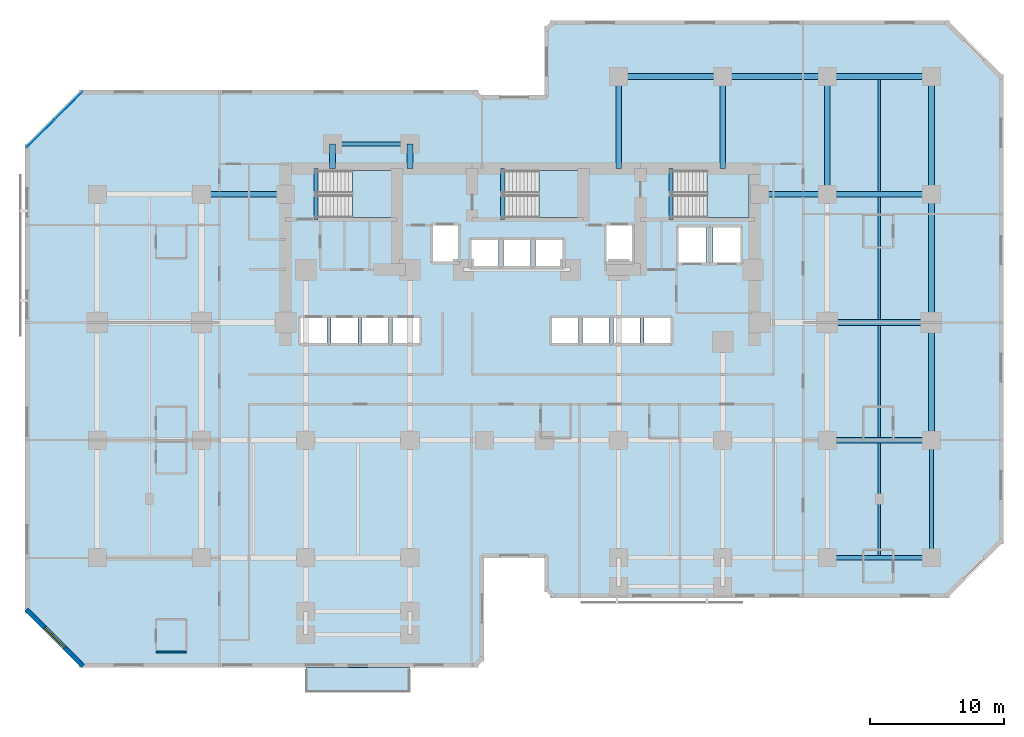
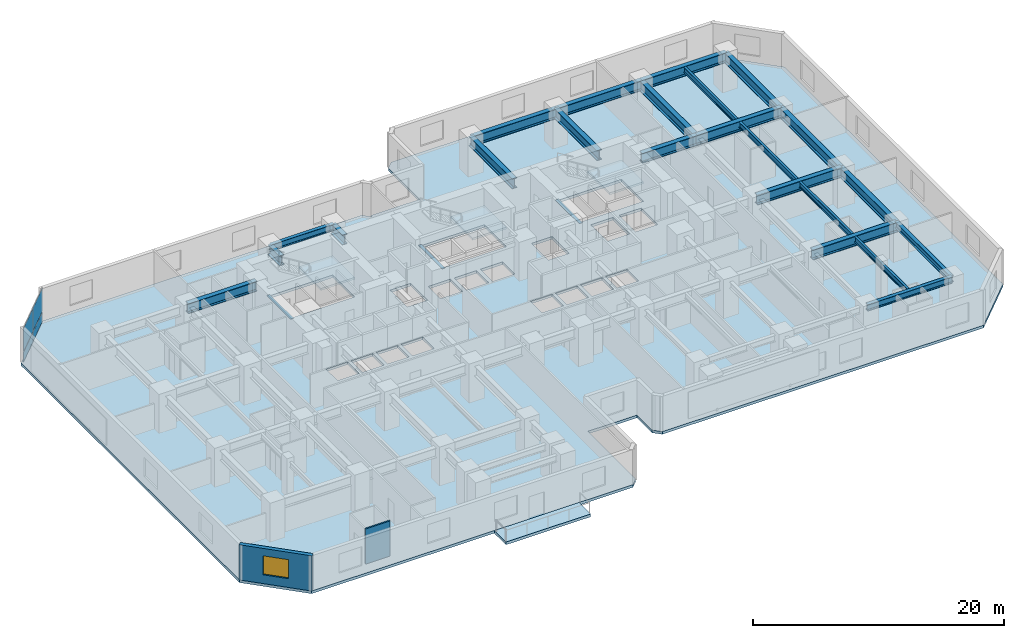
# One storey, part 3 of 11: 26 beams, 5 slabs, 4 plates, 2 walls, 1 window, 1 opening, 4 elements without a shape of their own.
"""IFC4 building model written with IfcOpenShell, lengths in metres."""

from ifc_helpers import new_model, si_unit, direction, frame, frame_2d, origin, origin_2d, place, context, subcontext, project, spatial, polyline, rectangle, i_section, outline, extrude, material, layer, layer_set, material_profile, profile_set, type_object, element, fill, aggregate, save


model = new_model("IFC4")

# Units and contexts
model_context = context("Model", 3, precision=1e-05, world=origin(), true_north=direction((0.0, 1.0)))
body_context = subcontext(model_context, "Body", "Model", "MODEL_VIEW")
ifc_project = project(units=[si_unit("LENGTHUNIT", "METRE"), si_unit("AREAUNIT", "SQUARE_METRE"), si_unit("VOLUMEUNIT", "CUBIC_METRE"), si_unit("PLANEANGLEUNIT", "RADIAN"), si_unit("MASSUNIT", "GRAM", prefix="KILO")], contexts=[model_context])

# Site, building, storey
site_placement = place(None, origin())
site = spatial("IfcSite", under=ifc_project, at=site_placement, CompositionType="ELEMENT")
building_placement = place(site_placement, origin())
building = spatial("IfcBuilding", under=site, at=building_placement, Name="Kestravale Grand Hotel", CompositionType="ELEMENT")
storey_placement = place(building_placement, frame((0.0, 0.0, 71.60009765625)))
storey = spatial("IfcBuildingStorey", under=building, at=storey_placement, Name="L17", CompositionType="ELEMENT", Elevation=71.60009765625)

# Beams
ifc_material_1 = material(Name="Steel ASTM A992 Grade 50", Category="steel")
ifc_material_profile_1 = material_profile(ifc_material_1, i_section(OverallWidth=0.2099609375, OverallDepth=0.535888671875, WebThickness=0.010986328125, FlangeThickness=0.017333984375, FilletRadius=0.017578125, at=origin_2d()))
ifc_profile_set_1 = profile_set([ifc_material_profile_1], Name="Steel ASTM A992 Grade 50")
beam_type_1 = type_object("IfcBeamType", Name="B-FLR-JST21", PredefinedType="JOIST", material=ifc_profile_set_1)
beam_1_placement = place(storey_placement, frame((66.300048828125, 11.362548828125, 3.15185546875), z_axis=(0.0, 1.0, 0.0), x_axis=(-1.0, 0.0, 0.0)))
element("IfcBeam", 1, at=beam_1_placement, inside=storey, type_object=beam_type_1, Name="L17 floor joist 10-11/C-D #1", PredefinedType="JOIST", context=body_context, shape_type="SweptSolid", body=[
    extrude(i_section(OverallWidth=0.2099609375, OverallDepth=0.535888671875, WebThickness=0.010986328125, FlangeThickness=0.017333984375, FilletRadius=0.017578125, at=origin_2d()), origin(), (0.0, 0.0, 1.0), 8.425537109375),
])
beam_2_placement = place(storey_placement, frame((66.300048828125, 20.2119140625, 3.15185546875), z_axis=(0.0, 1.0, 0.0), x_axis=(-1.0, 0.0, 0.0)))
element("IfcBeam", 2, at=beam_2_placement, inside=storey, type_object=beam_type_1, Name="L17 floor joist 10-11/D-E #1", PredefinedType="JOIST", context=body_context, shape_type="SweptSolid", body=[
    extrude(i_section(OverallWidth=0.2099609375, OverallDepth=0.535888671875, WebThickness=0.010986328125, FlangeThickness=0.017333984375, FilletRadius=0.017578125, at=origin_2d()), origin(), (0.0, 0.0, 1.0), 8.3759765625),
])
beam_3_placement = place(storey_placement, frame((66.300048828125, 29.011962890625, 3.15185546875), z_axis=(0.0, 1.0, 0.0), x_axis=(-1.0, 0.0, 0.0)))
element("IfcBeam", 3, at=beam_3_placement, inside=storey, type_object=beam_type_1, Name="L17 floor joist 10-11/E-F #1", PredefinedType="JOIST", context=body_context, shape_type="SweptSolid", body=[
    extrude(i_section(OverallWidth=0.2099609375, OverallDepth=0.535888671875, WebThickness=0.010986328125, FlangeThickness=0.017333984375, FilletRadius=0.017578125, at=origin_2d()), origin(), (0.0, 0.0, 1.0), 9.176025390625),
])
beam_4_placement = place(storey_placement, frame((66.300048828125, 38.612060546875, 3.15185546875), z_axis=(0.0, 1.0, 0.0), x_axis=(-1.0, 0.0, 0.0)))
element("IfcBeam", 4, at=beam_4_placement, inside=storey, type_object=beam_type_1, Name="L17 floor joist 10-11/F-G #1", PredefinedType="JOIST", context=body_context, shape_type="SweptSolid", body=[
    extrude(i_section(OverallWidth=0.2099609375, OverallDepth=0.535888671875, WebThickness=0.010986328125, FlangeThickness=0.017333984375, FilletRadius=0.017578125, at=origin_2d()), origin(), (0.0, 0.0, 1.0), 8.3759765625),
])
ifc_material_2 = material(Name="Concrete f'c 45 MPa", Category="concrete")
ifc_material_profile_2 = material_profile(ifc_material_2, rectangle(XDim=0.300048828125, YDim=0.39990234375, at=origin_2d()))
ifc_profile_set_2 = profile_set([ifc_material_profile_2], Name="Concrete f'c 45 MPa")
beam_type_2 = type_object("IfcBeamType", Name="B-FLR-LNT400", PredefinedType="LINTEL", material=ifc_profile_set_2)
for number, where, z_axis, x_axis, name in (
    (5, (24.159912109375, 36.52001953125, -0.2001953125), (0.0, 1.0, 0.0), (-1.0, 0.0, 0.0), "L17 ST1 flight bottom header beam"),
    (6, (38.110107421875, 36.52001953125, -0.2001953125), (0.0, 1.0, 0.0), (-1.0, 0.0, 0.0), "L17 ST2 flight bottom header beam"),
    (7, (50.7099609375, 36.52001953125, -0.2001953125), (0.0, 1.0, 0.0), (-1.0, 0.0, 0.0), "L17 ST3 flight bottom header beam"),
):
    element("IfcBeam", number, at=place(storey_placement, frame(where, z_axis=z_axis, x_axis=x_axis)), inside=storey, type_object=beam_type_2, Name=name, PredefinedType="LINTEL", context=body_context, shape_type="SweptSolid", body=[
        extrude(rectangle(XDim=0.300048828125, YDim=0.39990234375, at=origin_2d()), origin(), (0.0, 0.0, 1.0), 3.800048828125),
    ])
ifc_material_3 = material(Name="Steel ASTM A992 Grade 50", Category="steel")
ifc_material_profile_3 = material_profile(ifc_material_3, i_section(OverallWidth=0.324951171875, OverallDepth=0.612060546875, WebThickness=0.0126953125, FlangeThickness=0.01904296875, FilletRadius=0.018798828125, at=origin_2d()))
ifc_profile_set_3 = profile_set([ifc_material_profile_3], Name="Steel ASTM A992 Grade 50")
beam_type_3 = type_object("IfcBeamType", Name="B-FLR-W24A", PredefinedType="SPANDREL", material=ifc_profile_set_3)
beam_5_placement = place(storey_placement, frame((62.39990234375, 11.199951171875, 3.114013671875), z_axis=(1.0, 0.0, 0.0), x_axis=(0.0, 1.0, 0.0)))
element("IfcBeam", 8, at=beam_5_placement, inside=storey, type_object=beam_type_3, Name="L17 spandrel C:10-11", PredefinedType="SPANDREL", context=body_context, shape_type="SweptSolid", body=[
    extrude(i_section(OverallWidth=0.324951171875, OverallDepth=0.612060546875, WebThickness=0.0126953125, FlangeThickness=0.01904296875, FilletRadius=0.018798828125, at=origin_2d()), origin(), (0.0, 0.0, 1.0), 7.800048828125),
])
beam_6_placement = place(storey_placement, frame((25.39990234375, 42.14990234375, 3.114013671875), z_axis=(1.0, 0.0, 0.0), x_axis=(0.0, 1.0, 0.0)))
element("IfcBeam", 9, at=beam_6_placement, inside=storey, type_object=beam_type_3, Name="L17 perimeter tie spandrel FN:4-5", PredefinedType="SPANDREL", context=body_context, shape_type="SweptSolid", body=[
    extrude(i_section(OverallWidth=0.324951171875, OverallDepth=0.612060546875, WebThickness=0.0126953125, FlangeThickness=0.01904296875, FilletRadius=0.018798828125, at=origin_2d()), origin(), (0.0, 0.0, 1.0), 5.800048828125),
])
beam_7_placement = place(storey_placement, frame((70.199951171875, 11.199951171875, 3.114013671875), z_axis=(0.0, 1.0, 0.0), x_axis=(-1.0, 0.0, 0.0)))
element("IfcBeam", 10, at=beam_7_placement, inside=storey, type_object=beam_type_3, Name="L17 spandrel 11:C-D", PredefinedType="SPANDREL", context=body_context, shape_type="SweptSolid", body=[
    extrude(i_section(OverallWidth=0.324951171875, OverallDepth=0.612060546875, WebThickness=0.0126953125, FlangeThickness=0.01904296875, FilletRadius=0.018798828125, at=origin_2d()), origin(), (0.0, 0.0, 1.0), 8.800048828125),
])
ifc_material_4 = material(Name="Steel ASTM A992 Grade 50", Category="steel")
ifc_material_profile_4 = material_profile(ifc_material_4, i_section(OverallWidth=0.424072265625, OverallDepth=0.947021484375, WebThickness=0.02392578125, FlangeThickness=0.042724609375, FilletRadius=0.0283203125, at=origin_2d()))
ifc_profile_set_4 = profile_set([ifc_material_profile_4], Name="Steel ASTM A992 Grade 50")
beam_type_4 = type_object("IfcBeamType", Name="B-GRD-W36", PredefinedType="BEAM", material=ifc_profile_set_4)
for number, where, z_axis, x_axis, name in (
    (11, (62.39990234375, 20.0, 2.9462890625), (1.0, 0.0, 0.0), (0.0, 1.0, 0.0), "L17 girder D:10-11"),
    (12, (62.39990234375, 28.800048828125, 2.9462890625), (1.0, 0.0, 0.0), (0.0, 1.0, 0.0), "L17 girder E:10-11"),
):
    element("IfcBeam", number, at=place(storey_placement, frame(where, z_axis=z_axis, x_axis=x_axis)), inside=storey, type_object=beam_type_4, Name=name, PredefinedType="BEAM", context=body_context, shape_type="SweptSolid", body=[
        extrude(i_section(OverallWidth=0.424072265625, OverallDepth=0.947021484375, WebThickness=0.02392578125, FlangeThickness=0.042724609375, FilletRadius=0.0283203125, at=origin_2d()), origin(), (0.0, 0.0, 1.0), 7.800048828125),
    ])
beam_8_placement = place(storey_placement, frame((15.60009765625, 38.39990234375, 2.9462890625), z_axis=(1.0, 0.0, 0.0), x_axis=(0.0, 1.0, 0.0)))
element("IfcBeam", 13, at=beam_8_placement, inside=storey, type_object=beam_type_4, Name="L17 girder F:3-CW", PredefinedType="BEAM", context=body_context, shape_type="SweptSolid", body=[
    extrude(i_section(OverallWidth=0.424072265625, OverallDepth=0.947021484375, WebThickness=0.02392578125, FlangeThickness=0.042724609375, FilletRadius=0.0283203125, at=origin_2d()), origin(), (0.0, 0.0, 1.0), 6.2998046875),
])
beam_9_placement = place(storey_placement, frame((57.35009765625, 38.39990234375, 2.9462890625), z_axis=(1.0, 0.0, 0.0), x_axis=(0.0, 1.0, 0.0)))
element("IfcBeam", 14, at=beam_9_placement, inside=storey, type_object=beam_type_4, Name="L17 girder F:CE-10", PredefinedType="BEAM", context=body_context, shape_type="SweptSolid", body=[
    extrude(i_section(OverallWidth=0.424072265625, OverallDepth=0.947021484375, WebThickness=0.02392578125, FlangeThickness=0.042724609375, FilletRadius=0.0283203125, at=origin_2d()), origin(), (0.0, 0.0, 1.0), 5.0498046875),
])
for number, where, z_axis, x_axis, name in (
    (15, (62.39990234375, 38.39990234375, 2.9462890625), (1.0, 0.0, 0.0), (0.0, 1.0, 0.0), "L17 girder F:10-11"),
    (16, (46.800048828125, 47.199951171875, 2.9462890625), (1.0, 0.0, 0.0), (0.0, 1.0, 0.0), "L17 girder G:8-9"),
):
    element("IfcBeam", number, at=place(storey_placement, frame(where, z_axis=z_axis, x_axis=x_axis)), inside=storey, type_object=beam_type_4, Name=name, PredefinedType="BEAM", context=body_context, shape_type="SweptSolid", body=[
        extrude(i_section(OverallWidth=0.424072265625, OverallDepth=0.947021484375, WebThickness=0.02392578125, FlangeThickness=0.042724609375, FilletRadius=0.0283203125, at=origin_2d()), origin(), (0.0, 0.0, 1.0), 7.800048828125),
    ])
beam_10_placement = place(storey_placement, frame((54.60009765625, 47.199951171875, 2.9462890625), z_axis=(1.0, 0.0, 0.0), x_axis=(0.0, 1.0, 0.0)))
element("IfcBeam", 17, at=beam_10_placement, inside=storey, type_object=beam_type_4, Name="L17 girder G:9-10", PredefinedType="BEAM", context=body_context, shape_type="SweptSolid", body=[
    extrude(i_section(OverallWidth=0.424072265625, OverallDepth=0.947021484375, WebThickness=0.02392578125, FlangeThickness=0.042724609375, FilletRadius=0.0283203125, at=origin_2d()), origin(), (0.0, 0.0, 1.0), 7.7998046875),
])
beam_11_placement = place(storey_placement, frame((62.39990234375, 47.199951171875, 2.9462890625), z_axis=(1.0, 0.0, 0.0), x_axis=(0.0, 1.0, 0.0)))
element("IfcBeam", 18, at=beam_11_placement, inside=storey, type_object=beam_type_4, Name="L17 girder G:10-11", PredefinedType="BEAM", context=body_context, shape_type="SweptSolid", body=[
    extrude(i_section(OverallWidth=0.424072265625, OverallDepth=0.947021484375, WebThickness=0.02392578125, FlangeThickness=0.042724609375, FilletRadius=0.0283203125, at=origin_2d()), origin(), (0.0, 0.0, 1.0), 7.800048828125),
])
for number, where, z_axis, x_axis, name in (
    (19, (62.39990234375, 38.39990234375, 2.9462890625), (0.0, 1.0, 0.0), (-1.0, 0.0, 0.0), "L17 girder 10:F-G"),
    (20, (70.199951171875, 20.0, 2.9462890625), (0.0, 1.0, 0.0), (-1.0, 0.0, 0.0), "L17 girder 11:D-E"),
):
    element("IfcBeam", number, at=place(storey_placement, frame(where, z_axis=z_axis, x_axis=x_axis)), inside=storey, type_object=beam_type_4, Name=name, PredefinedType="BEAM", context=body_context, shape_type="SweptSolid", body=[
        extrude(i_section(OverallWidth=0.424072265625, OverallDepth=0.947021484375, WebThickness=0.02392578125, FlangeThickness=0.042724609375, FilletRadius=0.0283203125, at=origin_2d()), origin(), (0.0, 0.0, 1.0), 8.800048828125),
    ])
beam_12_placement = place(storey_placement, frame((70.199951171875, 28.800048828125, 2.9462890625), z_axis=(0.0, 1.0, 0.0), x_axis=(-1.0, 0.0, 0.0)))
element("IfcBeam", 21, at=beam_12_placement, inside=storey, type_object=beam_type_4, Name="L17 girder 11:E-F", PredefinedType="BEAM", context=body_context, shape_type="SweptSolid", body=[
    extrude(i_section(OverallWidth=0.424072265625, OverallDepth=0.947021484375, WebThickness=0.02392578125, FlangeThickness=0.042724609375, FilletRadius=0.0283203125, at=origin_2d()), origin(), (0.0, 0.0, 1.0), 9.599853515625),
])
beam_13_placement = place(storey_placement, frame((70.199951171875, 38.39990234375, 2.9462890625), z_axis=(0.0, 1.0, 0.0), x_axis=(-1.0, 0.0, 0.0)))
element("IfcBeam", 22, at=beam_13_placement, inside=storey, type_object=beam_type_4, Name="L17 girder 11:F-G", PredefinedType="BEAM", context=body_context, shape_type="SweptSolid", body=[
    extrude(i_section(OverallWidth=0.424072265625, OverallDepth=0.947021484375, WebThickness=0.02392578125, FlangeThickness=0.042724609375, FilletRadius=0.0283203125, at=origin_2d()), origin(), (0.0, 0.0, 1.0), 8.800048828125),
])
for number, where, z_axis, x_axis, name in (
    (23, (25.39990234375, 40.320068359375, 2.9462890625), (0.0, 1.0, 0.0), (-1.0, 0.0, 0.0), "L17 north wing tie girder 4:CN-FN"),
    (24, (31.199951171875, 40.320068359375, 2.9462890625), (0.0, 1.0, 0.0), (-1.0, 0.0, 0.0), "L17 north wing tie girder 5:CN-FN"),
):
    element("IfcBeam", number, at=place(storey_placement, frame(where, z_axis=z_axis, x_axis=x_axis)), inside=storey, type_object=beam_type_4, Name=name, PredefinedType="BEAM", context=body_context, shape_type="SweptSolid", body=[
        extrude(i_section(OverallWidth=0.424072265625, OverallDepth=0.947021484375, WebThickness=0.02392578125, FlangeThickness=0.042724609375, FilletRadius=0.0283203125, at=origin_2d()), origin(), (0.0, 0.0, 1.0), 1.829833984375),
    ])
for number, where, z_axis, x_axis, name in (
    (25, (46.800048828125, 40.320068359375, 2.9462890625), (0.0, 1.0, 0.0), (-1.0, 0.0, 0.0), "L17 north wing tie girder 8:CN-G"),
    (26, (54.60009765625, 40.320068359375, 2.9462890625), (0.0, 1.0, 0.0), (-1.0, 0.0, 0.0), "L17 north wing tie girder 9:CN-G"),
):
    element("IfcBeam", number, at=place(storey_placement, frame(where, z_axis=z_axis, x_axis=x_axis)), inside=storey, type_object=beam_type_4, Name=name, PredefinedType="BEAM", context=body_context, shape_type="SweptSolid", body=[
        extrude(i_section(OverallWidth=0.424072265625, OverallDepth=0.947021484375, WebThickness=0.02392578125, FlangeThickness=0.042724609375, FilletRadius=0.0283203125, at=origin_2d()), origin(), (0.0, 0.0, 1.0), 6.8798828125),
    ])

# Curtain wall, plates
ifc_material_5 = material(Name="Thermally broken champagne-bronze aluminium and low-E glazing", Category="aluminium")
ifc_layer_1 = layer(ifc_material_5, 0.199951171875)
ifc_layer_set_1 = layer_set([ifc_layer_1], Name="CW-Z1")
curtain_wall_type = type_object("IfcCurtainWallType", Name="CW-Z1", PredefinedType="NOTDEFINED", material=ifc_layer_set_1)
curtain_wall_placement = place(storey_placement, origin())
curtain_wall = element("IfcCurtainWall", 27, at=curtain_wall_placement, inside=storey, type_object=curtain_wall_type, Name="L17 unitised curtain wall 18", PredefinedType="NOTDEFINED")
ifc_material_6 = material(Name="Insulated clear low-E double glazing IGU", Category="glass")
ifc_layer_2 = layer(ifc_material_6, 0.035888671875)
ifc_layer_set_2 = layer_set([ifc_layer_2], Name="CW-PNL-36")
plate_type = type_object("IfcPlateType", Name="CW-PNL-36", PredefinedType="CURTAIN_PANEL", material=ifc_layer_set_2)
plate_1_placement = place(storey_placement, frame((5.6640625, 45.023681640625, 0.074951171875), z_axis=(0.0, 0.0, 1.0), x_axis=(-0.707106781187, -0.707106781187, 0.0)))
plate_1 = element("IfcPlate", 28, at=plate_1_placement, type_object=plate_type, Name="CW-Z1 panel 1.1", PredefinedType="CURTAIN_PANEL", context=body_context, shape_type="SweptSolid", body=[
    extrude(rectangle(XDim=2.87744140625, YDim=0.035888671875, at=origin_2d()), origin(), (0.0, 0.0, 1.0), 0.9375),
])
plate_2_placement = place(storey_placement, frame((5.6640625, 45.023681640625, 1.08740234375), z_axis=(0.0, 0.0, 1.0), x_axis=(-0.707106781187, -0.707106781187, 0.0)))
plate_2 = element("IfcPlate", 29, at=plate_2_placement, type_object=plate_type, Name="CW-Z1 panel 1.2", PredefinedType="CURTAIN_PANEL", context=body_context, shape_type="SweptSolid", body=[
    extrude(rectangle(XDim=2.87744140625, YDim=0.035888671875, at=origin_2d()), origin(), (0.0, 0.0, 1.0), 2.257568359375),
])
plate_3_placement = place(storey_placement, frame((3.576416015625, 42.93603515625, 0.074951171875), z_axis=(0.0, 0.0, 1.0), x_axis=(-0.707106781187, -0.707106781187, 0.0)))
plate_3 = element("IfcPlate", 30, at=plate_3_placement, type_object=plate_type, Name="CW-Z1 panel 2.1", PredefinedType="CURTAIN_PANEL", context=body_context, shape_type="SweptSolid", body=[
    extrude(rectangle(XDim=2.87744140625, YDim=0.035888671875, at=origin_2d()), origin(), (0.0, 0.0, 1.0), 0.9375),
])
plate_4_placement = place(storey_placement, frame((3.576416015625, 42.93603515625, 1.08740234375), z_axis=(0.0, 0.0, 1.0), x_axis=(-0.707106781187, -0.707106781187, 0.0)))
plate_4 = element("IfcPlate", 31, at=plate_4_placement, type_object=plate_type, Name="CW-Z1 panel 2.2", PredefinedType="CURTAIN_PANEL", context=body_context, shape_type="SweptSolid", body=[
    extrude(rectangle(XDim=2.87744140625, YDim=0.035888671875, at=origin_2d()), origin(), (0.0, 0.0, 1.0), 2.257568359375),
])
aggregate(curtain_wall, [plate_1, plate_2, plate_3, plate_4])

# Slab
ifc_material_7 = material(Name="Concrete f'c 45 MPa", Category="concrete")
ifc_layer_3 = layer(ifc_material_7, 0.27001953125)
ifc_layer_set_3 = layer_set([ifc_layer_3], Name="ES-TERR-270")
slab_type_1 = type_object("IfcSlabType", Name="ES-TERR-270", PredefinedType="FLOOR", material=ifc_layer_set_3)
slab_1_placement = place(storey_placement, frame((0.0, 0.0, -0.27001953125)))
element("IfcSlab", 32, at=slab_1_placement, inside=storey, type_object=slab_type_1, Name="L17 spiralling planted garden terrace", PredefinedType="FLOOR", context=body_context, shape_type="SweptSolid", body=[
    extrude(outline(polyline([(23.39990234375, 1.14990234375), (31.199951171875, 1.14990234375), (31.199951171875, 3.0), (23.39990234375, 3.0), (23.39990234375, 1.14990234375)])), origin(), (0.0, 0.0, 1.0), 0.27001953125),
])

# Stair, slab
ifc_material_8 = material(Name="Concrete f'c 45 MPa", Category="concrete")
stair_type = type_object("IfcStairType", Name="ST-CORE-380", PredefinedType="HALF_TURN_STAIR", material=ifc_material_8)
stair_1_placement = place(storey_placement, origin())
stair_1 = element("IfcStair", 33, at=stair_1_placement, inside=storey, type_object=stair_type, Name="L17 ST-1", PredefinedType="HALF_TURN_STAIR")
ifc_material_9 = material(Name="Concrete f'c 45 MPa", Category="concrete")
ifc_layer_4 = layer(ifc_material_9, 0.199951171875)
ifc_layer_set_4 = layer_set([ifc_layer_4], Name="SLB-ST-LND200")
slab_type_2 = type_object("IfcSlabType", Name="SLB-ST-LND200", PredefinedType="LANDING", material=ifc_layer_set_4)
slab_2_placement = place(storey_placement, frame((0.0, 0.0, 1.699951171875)))
slab_2 = element("IfcSlab", 34, at=slab_2_placement, type_object=slab_type_2, Name="ST-1 landing 1", PredefinedType="LANDING", context=body_context, shape_type="SweptSolid", body=[
    extrude(outline(polyline([(26.8798828125, 36.64990234375), (30.0, 36.64990234375), (30.0, 40.159912109375), (26.8798828125, 40.159912109375), (26.8798828125, 36.64990234375)])), origin(), (0.0, 0.0, 1.0), 0.199951171875),
])
aggregate(stair_1, [slab_2])

stair_2_placement = place(storey_placement, origin())
stair_2 = element("IfcStair", 35, at=stair_2_placement, inside=storey, type_object=stair_type, Name="L17 ST-2", PredefinedType="HALF_TURN_STAIR")
slab_3_placement = place(storey_placement, frame((0.0, 0.0, 1.699951171875)))
slab_3 = element("IfcSlab", 36, at=slab_3_placement, type_object=slab_type_2, Name="ST-2 landing 1", PredefinedType="LANDING", context=body_context, shape_type="SweptSolid", body=[
    extrude(outline(polyline([(40.830078125, 36.64990234375), (43.949951171875, 36.64990234375), (43.949951171875, 40.159912109375), (40.830078125, 40.159912109375), (40.830078125, 36.64990234375)])), origin(), (0.0, 0.0, 1.0), 0.199951171875),
])
aggregate(stair_2, [slab_3])

stair_3_placement = place(storey_placement, origin())
stair_3 = element("IfcStair", 37, at=stair_3_placement, inside=storey, type_object=stair_type, Name="L17 ST-3", PredefinedType="HALF_TURN_STAIR")
slab_4_placement = place(storey_placement, frame((0.0, 0.0, 1.699951171875)))
slab_4 = element("IfcSlab", 38, at=slab_4_placement, type_object=slab_type_2, Name="ST-3 landing 1", PredefinedType="LANDING", context=body_context, shape_type="SweptSolid", body=[
    extrude(outline(polyline([(53.429931640625, 36.64990234375), (56.550048828125, 36.64990234375), (56.550048828125, 40.159912109375), (53.429931640625, 40.159912109375), (53.429931640625, 36.64990234375)])), origin(), (0.0, 0.0, 1.0), 0.199951171875),
])
aggregate(stair_3, [slab_4])

# Slab
ifc_material_10 = material(Name="Concrete f'c 45 MPa", Category="concrete")
ifc_layer_5 = layer(ifc_material_10, 0.260009765625)
ifc_layer_set_5 = layer_set([ifc_layer_5], Name="SS-FLR-260")
slab_type_3 = type_object("IfcSlabType", Name="SS-FLR-260", PredefinedType="FLOOR", material=ifc_layer_set_5)
slab_5_placement = place(storey_placement, frame((0.0, 0.0, -0.260009765625)))
element("IfcSlab", 39, at=slab_5_placement, inside=storey, type_object=slab_type_3, Name="L17 structural floor slab", PredefinedType="FLOOR", context=body_context, shape_type="SweptSolid", body=[
    extrude(outline(polyline([(6.60009765625, 3.0), (36.14990234375, 3.0), (36.75, 3.60009765625), (36.75, 11.199951171875), (41.25, 11.199951171875), (41.25, 8.800048828125), (41.85009765625, 8.199951171875), (71.39990234375, 8.199951171875), (75.60009765625, 12.39990234375), (75.60009765625, 47.199951171875), (71.39990234375, 51.39990234375), (41.85009765625, 51.39990234375), (41.25, 50.800048828125), (41.25, 45.800048828125), (36.75, 45.800048828125), (36.75, 45.60009765625), (36.14990234375, 46.199951171875), (6.60009765625, 46.199951171875), (2.39990234375, 42.0), (2.39990234375, 7.199951171875), (6.60009765625, 3.0)]), holes=[polyline([(24.080078125, 36.64990234375), (30.0, 36.64990234375), (30.0, 40.159912109375), (24.080078125, 40.159912109375), (24.080078125, 36.64990234375)]), polyline([(38.030029296875, 36.64990234375), (43.949951171875, 36.64990234375), (43.949951171875, 40.159912109375), (38.030029296875, 40.159912109375), (38.030029296875, 36.64990234375)]), polyline([(50.6298828125, 36.64990234375), (56.550048828125, 36.64990234375), (56.550048828125, 40.159912109375), (50.6298828125, 40.159912109375), (50.6298828125, 36.64990234375)]), polyline([(23.0048828125, 27.280029296875), (24.9951171875, 27.280029296875), (24.9951171875, 29.1201171875), (23.0048828125, 29.1201171875), (23.0048828125, 27.280029296875)]), polyline([(25.304931640625, 27.280029296875), (27.294921875, 27.280029296875), (27.294921875, 29.1201171875), (25.304931640625, 29.1201171875), (25.304931640625, 27.280029296875)]), polyline([(27.60498046875, 27.280029296875), (29.594970703125, 27.280029296875), (29.594970703125, 29.1201171875), (27.60498046875, 29.1201171875), (27.60498046875, 27.280029296875)]), polyline([(29.905029296875, 27.280029296875), (31.89501953125, 27.280029296875), (31.89501953125, 29.1201171875), (29.905029296875, 29.1201171875), (29.905029296875, 27.280029296875)]), polyline([(41.804931640625, 27.280029296875), (43.794921875, 27.280029296875), (43.794921875, 29.1201171875), (41.804931640625, 29.1201171875), (41.804931640625, 27.280029296875)]), polyline([(44.10498046875, 27.280029296875), (46.094970703125, 27.280029296875), (46.094970703125, 29.1201171875), (44.10498046875, 29.1201171875), (44.10498046875, 27.280029296875)]), polyline([(46.405029296875, 27.280029296875), (48.39501953125, 27.280029296875), (48.39501953125, 29.1201171875), (46.405029296875, 29.1201171875), (46.405029296875, 27.280029296875)]), polyline([(48.705078125, 27.280029296875), (50.695068359375, 27.280029296875), (50.695068359375, 29.1201171875), (48.705078125, 29.1201171875), (48.705078125, 27.280029296875)]), polyline([(35.780029296875, 33.030029296875), (37.820068359375, 33.030029296875), (37.820068359375, 34.969970703125), (35.780029296875, 34.969970703125), (35.780029296875, 33.030029296875)]), polyline([(38.179931640625, 33.030029296875), (40.219970703125, 33.030029296875), (40.219970703125, 34.969970703125), (38.179931640625, 34.969970703125), (38.179931640625, 33.030029296875)]), polyline([(40.580078125, 33.030029296875), (42.6201171875, 33.030029296875), (42.6201171875, 34.969970703125), (40.580078125, 34.969970703125), (40.580078125, 33.030029296875)]), polyline([(32.905029296875, 33.35498046875), (34.794921875, 33.35498046875), (34.794921875, 36.044921875), (32.905029296875, 36.044921875), (32.905029296875, 33.35498046875)]), polyline([(45.905029296875, 33.35498046875), (47.794921875, 33.35498046875), (47.794921875, 36.044921875), (45.905029296875, 36.044921875), (45.905029296875, 33.35498046875)]), polyline([(51.280029296875, 33.280029296875), (53.320068359375, 33.280029296875), (53.320068359375, 35.919921875), (51.280029296875, 35.919921875), (51.280029296875, 33.280029296875)]), polyline([(53.8798828125, 33.280029296875), (55.919921875, 33.280029296875), (55.919921875, 35.919921875), (53.8798828125, 35.919921875), (53.8798828125, 33.280029296875)])]), origin(), (0.0, 0.0, 1.0), 0.260009765625),
])

# Wall, opening, window
ifc_material_11 = material(Name="Precast concrete f'c 45 MPa", Category="concrete")
ifc_layer_6 = layer(ifc_material_11, 0.340087890625)
ifc_layer_set_6 = layer_set([ifc_layer_6], Name="EW-PREC-340")
wall_type_1 = type_object("IfcWallType", Name="EW-PREC-340", PredefinedType="SOLIDWALL", material=ifc_layer_set_6)
wall_1_placement = place(storey_placement, frame((2.491943359375, 7.348388671875, 0.0), z_axis=(0.0, 0.0, 1.0), x_axis=(0.707106781187, -0.707106781187, 0.0)))
wall_1 = element("IfcWall", 40, at=wall_1_placement, inside=storey, type_object=wall_type_1, Name="L17 fluted precast facade wall 20", PredefinedType="SOLIDWALL", context=body_context, shape_type="SweptSolid", body=[
    extrude(rectangle(XDim=6.019775390625, YDim=0.340087890625, at=frame_2d((3.009765625, 0.0))), origin(), (0.0, 0.0, 1.0), 3.419921875),
])
opening_placement = place(wall_1_placement, frame((1.9599609375, 0.0, 0.85009765625)))
opening = element("IfcOpeningElement", 41, at=opening_placement, cuts=wall_1, Name="Opening W-GUEST-2100", PredefinedType="OPENING", context=body_context, shape_type="SweptSolid", body=[
    extrude(rectangle(XDim=2.10009765625, YDim=1.85009765625, at=frame_2d((1.050048828125, 0.925048828125))), frame((0.0, 0.179931640625, 0.0), z_axis=(0.0, -1.0, 0.0), x_axis=(1.0, 0.0, 0.0)), (0.0, 0.0, 1.0), 0.360107421875),
])
ifc_material_12 = material(Name="Insulated low-E double glazing in aluminium frame", Category="aluminium")
window_type = type_object("IfcWindowType", Name="W-GUEST-2100", PartitioningType="DOUBLE_PANEL_VERTICAL", PredefinedType="WINDOW", material=ifc_material_12)
window_placement = place(opening_placement, origin())
window = element("IfcWindow", 42, at=window_placement, inside=storey, type_object=window_type, Name="L17 exterior window 20.1", OverallHeight=1.85009765625, OverallWidth=2.10009765625, PartitioningType="SINGLE_PANEL", PredefinedType="WINDOW", context=body_context, shape_type="SweptSolid", body=[
    extrude(rectangle(XDim=2.10009765625, YDim=1.85009765625, at=frame_2d((1.050048828125, 0.925048828125))), frame((0.0, 0.030029296875, 0.0), z_axis=(0.0, -1.0, 0.0), x_axis=(1.0, 0.0, 0.0)), (0.0, 0.0, 1.0), 0.06005859375),
])
fill(opening, window)

# Wall
ifc_material_13 = material(Name="Moisture-resistant tile-backer plumbing chase wall", Category="other")
ifc_layer_7 = layer(ifc_material_13, 0.139892578125)
ifc_layer_set_7 = layer_set([ifc_layer_7], Name="IW-PLB-140")
wall_type_2 = type_object("IfcWallType", Name="IW-PLB-140", PredefinedType="PLUMBINGWALL", material=ifc_layer_set_7)
wall_2_placement = place(storey_placement, frame((12.199951171875, 4.14990234375, 0.0), z_axis=(0.0, 0.0, 1.0), x_axis=(1.0, 0.0, 0.0)))
element("IfcWall", 43, at=wall_2_placement, inside=storey, type_object=wall_type_2, Name="W-L17-U03-BS", PredefinedType="PLUMBINGWALL", context=body_context, shape_type="SweptSolid", body=[
    extrude(rectangle(XDim=2.25, YDim=0.139892578125, at=frame_2d((1.125, 0.0))), origin(), (0.0, 0.0, 1.0), 3.419921875),
])

save(model, "model.ifc")
